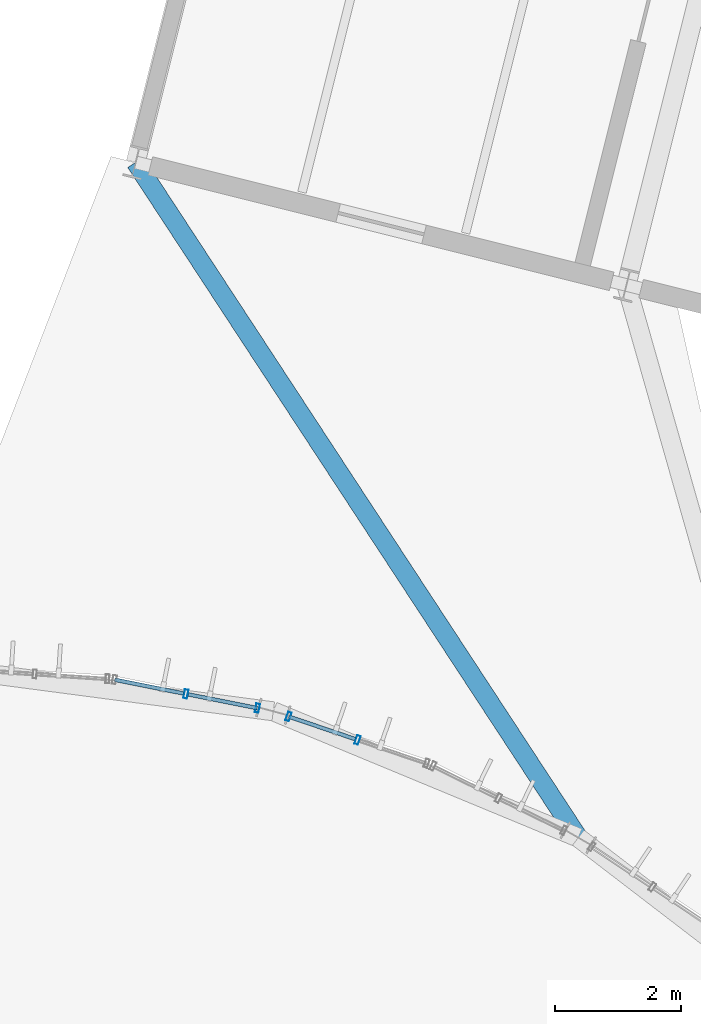
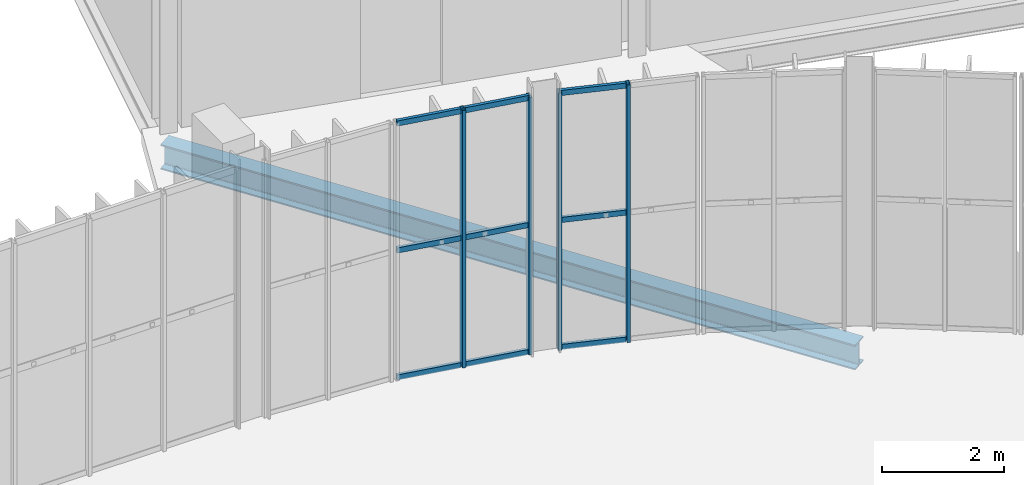
# One storey, part 75 of 158: 13 members, 1 beam, 2 elements without a shape of their own.
"""IFC4 building model written with IfcOpenShell, lengths in metres."""

from ifc_helpers import new_model, si_unit, derived_unit, direction, frame, origin, origin_2d, place, context, subcontext, project, spatial, hollow_rectangle, i_section, extrude, material, material_profile, profile_set, type_object, element, aggregate, save


model = new_model("IFC4")

# Units and contexts
model_context = context("Model", 3, precision=1e-05, world=origin(), true_north=direction((0.0, 1.0)))
body_context = subcontext(model_context, "Body", "Model", "MODEL_VIEW")
ifc_project = project(units=[si_unit("LENGTHUNIT", "METRE"), si_unit("AREAUNIT", "SQUARE_METRE"), si_unit("VOLUMEUNIT", "CUBIC_METRE"), si_unit("PLANEANGLEUNIT", "RADIAN"), si_unit("MASSUNIT", "GRAM", prefix="KILO"), si_unit("THERMODYNAMICTEMPERATUREUNIT", "KELVIN"), si_unit("TIMEUNIT", "SECOND"), derived_unit("THERMALTRANSMITTANCEUNIT", [(si_unit("MASSUNIT", "GRAM", prefix="KILO"), 1), (si_unit("THERMODYNAMICTEMPERATUREUNIT", "KELVIN"), -1), (si_unit("TIMEUNIT", "SECOND"), -3)])], contexts=[model_context])

# Site, building, storey
site_placement = place(None, origin())
site = spatial("IfcSite", under=ifc_project, at=site_placement, CompositionType="ELEMENT")
building_placement = place(site_placement, origin())
building = spatial("IfcBuilding", under=site, at=building_placement, Name="Cambertide Market Hall", CompositionType="ELEMENT")
storey_placement = place(building_placement, origin())
storey = spatial("IfcBuildingStorey", under=building, at=storey_placement, Name="L01", CompositionType="ELEMENT", Elevation=0.0)

# Curtain wall, members
ifc_material_1 = material(Name="Marine Anodized Aluminium 6063-T6 AA25", Category="aluminium")
curtain_wall_type = type_object("IfcCurtainWallType", Name="Lantern Apse Chord Lower Curtain Wall", PredefinedType="USERDEFINED", material=ifc_material_1)
curtain_wall_1_placement = place(storey_placement, origin())
curtain_wall_1 = element("IfcCurtainWall", 1, at=curtain_wall_1_placement, inside=storey, type_object=curtain_wall_type, Name="Level 1 Curtain Wall CW-V1AE-L01-22", ObjectType="UNITIZED CURTAIN WALL", PredefinedType="USERDEFINED")
ifc_material_2 = material(Name="Champagne Marine Anodized Aluminium 6063-T6 AA25", Category="aluminium")
ifc_material_profile_1 = material_profile(ifc_material_2, hollow_rectangle(XDim=0.06005859375, YDim=0.139892578125, WallThickness=0.00341796875, at=origin_2d()), Name="ALU MULLION 60x140")
ifc_profile_set_1 = profile_set([ifc_material_profile_1], Name="Champagne Marine Anodized Aluminium 6063-T6 AA25")
member_type_1 = type_object("IfcMemberType", Name="Curtain Wall Mullion ALU MULLION 60x140", PredefinedType="MULLION", material=ifc_profile_set_1)
member_1_placement = place(storey_placement, frame((110.41796875, 91.236572265625, 0.0), z_axis=(0.0, 0.0, 1.0), x_axis=(0.94693012508, -0.32143947831, 0.0)))
member_1 = element("IfcMember", 2, at=member_1_placement, type_object=member_type_1, Name="CW-V1AE-L01-22 Mullion 1", PredefinedType="MULLION", context=body_context, shape_type="SweptSolid", body=[
    extrude(hollow_rectangle(XDim=0.06005859375, YDim=0.139892578125, WallThickness=0.00341796875, at=origin_2d()), origin(), (0.0, 0.0, 1.0), 5.159912109375),
])
member_2_placement = place(storey_placement, frame((111.509765625, 90.865966796875, 0.0), z_axis=(0.0, 0.0, 1.0), x_axis=(0.94693012508, -0.32143947831, 0.0)))
member_2 = element("IfcMember", 3, at=member_2_placement, type_object=member_type_1, Name="CW-V1AE-L01-22 Mullion 2", PredefinedType="MULLION", context=body_context, shape_type="SweptSolid", body=[
    extrude(hollow_rectangle(XDim=0.06005859375, YDim=0.139892578125, WallThickness=0.00341796875, at=origin_2d()), origin(), (0.0, 0.0, 1.0), 5.159912109375),
])

curtain_wall_2_placement = place(storey_placement, origin())
curtain_wall_2 = element("IfcCurtainWall", 4, at=curtain_wall_2_placement, inside=storey, type_object=curtain_wall_type, Name="Level 1 Curtain Wall CW-V1AE-L01-23", ObjectType="UNITIZED CURTAIN WALL", PredefinedType="USERDEFINED")
member_3_placement = place(storey_placement, frame((108.79541015625, 91.59326171875, 0.0), z_axis=(0.0, 0.0, 1.0), x_axis=(0.980785330885, -0.195090068226, 0.0)))
member_3 = element("IfcMember", 5, at=member_3_placement, type_object=member_type_1, Name="CW-V1AE-L01-23 Mullion 2", PredefinedType="MULLION", context=body_context, shape_type="SweptSolid", body=[
    extrude(hollow_rectangle(XDim=0.06005859375, YDim=0.139892578125, WallThickness=0.00341796875, at=origin_2d()), origin(), (0.0, 0.0, 1.0), 5.159912109375),
])
member_4_placement = place(storey_placement, frame((109.92626953125, 91.3681640625, 0.0), z_axis=(0.0, 0.0, 1.0), x_axis=(0.980785330885, -0.195090068226, 0.0)))
member_4 = element("IfcMember", 6, at=member_4_placement, type_object=member_type_1, Name="CW-V1AE-L01-23 Mullion 3", PredefinedType="MULLION", context=body_context, shape_type="SweptSolid", body=[
    extrude(hollow_rectangle(XDim=0.06005859375, YDim=0.139892578125, WallThickness=0.00341796875, at=origin_2d()), origin(), (0.0, 0.0, 1.0), 5.159912109375),
])

# Member
ifc_material_3 = material(Name="Champagne Marine Anodized Aluminium 6063-T6 AA25", Category="aluminium")
ifc_material_profile_2 = material_profile(ifc_material_3, hollow_rectangle(XDim=0.06005859375, YDim=0.10498046875, WallThickness=0.0029296875, at=origin_2d()), Name="ALU TRANSOM 60x105")
ifc_profile_set_2 = profile_set([ifc_material_profile_2], Name="Champagne Marine Anodized Aluminium 6063-T6 AA25")
member_type_2 = type_object("IfcMemberType", Name="Curtain Wall Transom ALU TRANSOM 60x105", PredefinedType="USERDEFINED", material=ifc_profile_set_2)
member_5_placement = place(storey_placement, frame((110.422607421875, 91.23486328125, 0.034912109375), z_axis=(0.946928413037, -0.321444521782, 0.0), x_axis=(0.321444521782, 0.946928413037, 0.0)))
member_5 = element("IfcMember", 7, at=member_5_placement, type_object=member_type_2, Name="CW-V1AE-L01-22 Transom 1-1", ObjectType="TRANSOM", PredefinedType="USERDEFINED", context=body_context, shape_type="SweptSolid", body=[
    extrude(hollow_rectangle(XDim=0.06005859375, YDim=0.10498046875, WallThickness=0.0029296875, at=origin_2d()), origin(), (0.0, 0.0, 1.0), 1.108154296875),
])

member_6_placement = place(storey_placement, frame((110.422607421875, 91.23486328125, 2.580078125), z_axis=(0.946928413037, -0.321444521782, 0.0), x_axis=(0.321444521782, 0.946928413037, 0.0)))
member_6 = element("IfcMember", 8, at=member_6_placement, type_object=member_type_2, Name="CW-V1AE-L01-22 Transom 2-1", ObjectType="TRANSOM", PredefinedType="USERDEFINED", context=body_context, shape_type="SweptSolid", body=[
    extrude(hollow_rectangle(XDim=0.06005859375, YDim=0.10498046875, WallThickness=0.0029296875, at=origin_2d()), origin(), (0.0, 0.0, 1.0), 1.108154296875),
])

member_7_placement = place(storey_placement, frame((110.422607421875, 91.23486328125, 5.125), z_axis=(0.946928413037, -0.321444521782, 0.0), x_axis=(0.321444521782, 0.946928413037, 0.0)))
member_7 = element("IfcMember", 9, at=member_7_placement, type_object=member_type_2, Name="CW-V1AE-L01-22 Transom 3-1", ObjectType="TRANSOM", PredefinedType="USERDEFINED", context=body_context, shape_type="SweptSolid", body=[
    extrude(hollow_rectangle(XDim=0.06005859375, YDim=0.10498046875, WallThickness=0.0029296875, at=origin_2d()), origin(), (0.0, 0.0, 1.0), 1.108154296875),
])

aggregate(curtain_wall_1, [member_1, member_2, member_5, member_6, member_7])

member_8_placement = place(storey_placement, frame((107.66943359375, 91.817138671875, 0.034912109375), z_axis=(0.980800411785, -0.195014235999, 0.0), x_axis=(0.195014235999, 0.980800411785, 0.0)))
member_8 = element("IfcMember", 10, at=member_8_placement, type_object=member_type_2, Name="CW-V1AE-L01-23 Transom 1-1", ObjectType="TRANSOM", PredefinedType="USERDEFINED", context=body_context, shape_type="SweptSolid", body=[
    extrude(hollow_rectangle(XDim=0.06005859375, YDim=0.10498046875, WallThickness=0.0029296875, at=origin_2d()), origin(), (0.0, 0.0, 1.0), 1.10791015625),
])

member_9_placement = place(storey_placement, frame((108.834716796875, 91.58544921875, 0.034912109375), z_axis=(0.980758243369, -0.195226197175, 0.0), x_axis=(0.195226197175, 0.980758243369, 0.0)))
member_9 = element("IfcMember", 11, at=member_9_placement, type_object=member_type_2, Name="CW-V1AE-L01-23 Transom 1-2", ObjectType="TRANSOM", PredefinedType="USERDEFINED", context=body_context, shape_type="SweptSolid", body=[
    extrude(hollow_rectangle(XDim=0.06005859375, YDim=0.10498046875, WallThickness=0.0029296875, at=origin_2d()), origin(), (0.0, 0.0, 1.0), 1.10791015625),
])

member_10_placement = place(storey_placement, frame((107.66943359375, 91.817138671875, 2.580078125), z_axis=(0.980800411785, -0.195014235999, 0.0), x_axis=(0.195014235999, 0.980800411785, 0.0)))
member_10 = element("IfcMember", 12, at=member_10_placement, type_object=member_type_2, Name="CW-V1AE-L01-23 Transom 2-1", ObjectType="TRANSOM", PredefinedType="USERDEFINED", context=body_context, shape_type="SweptSolid", body=[
    extrude(hollow_rectangle(XDim=0.06005859375, YDim=0.10498046875, WallThickness=0.0029296875, at=origin_2d()), origin(), (0.0, 0.0, 1.0), 1.10791015625),
])

member_11_placement = place(storey_placement, frame((108.834716796875, 91.58544921875, 2.580078125), z_axis=(0.980758243369, -0.195226197175, 0.0), x_axis=(0.195226197175, 0.980758243369, 0.0)))
member_11 = element("IfcMember", 13, at=member_11_placement, type_object=member_type_2, Name="CW-V1AE-L01-23 Transom 2-2", ObjectType="TRANSOM", PredefinedType="USERDEFINED", context=body_context, shape_type="SweptSolid", body=[
    extrude(hollow_rectangle(XDim=0.06005859375, YDim=0.10498046875, WallThickness=0.0029296875, at=origin_2d()), origin(), (0.0, 0.0, 1.0), 1.10791015625),
])

member_12_placement = place(storey_placement, frame((107.66943359375, 91.817138671875, 5.125), z_axis=(0.980800411785, -0.195014235999, 0.0), x_axis=(0.195014235999, 0.980800411785, 0.0)))
member_12 = element("IfcMember", 14, at=member_12_placement, type_object=member_type_2, Name="CW-V1AE-L01-23 Transom 3-1", ObjectType="TRANSOM", PredefinedType="USERDEFINED", context=body_context, shape_type="SweptSolid", body=[
    extrude(hollow_rectangle(XDim=0.06005859375, YDim=0.10498046875, WallThickness=0.0029296875, at=origin_2d()), origin(), (0.0, 0.0, 1.0), 1.10791015625),
])

member_13_placement = place(storey_placement, frame((108.834716796875, 91.58544921875, 5.125), z_axis=(0.980758243369, -0.195226197175, 0.0), x_axis=(0.195226197175, 0.980758243369, 0.0)))
member_13 = element("IfcMember", 15, at=member_13_placement, type_object=member_type_2, Name="CW-V1AE-L01-23 Transom 3-2", ObjectType="TRANSOM", PredefinedType="USERDEFINED", context=body_context, shape_type="SweptSolid", body=[
    extrude(hollow_rectangle(XDim=0.06005859375, YDim=0.10498046875, WallThickness=0.0029296875, at=origin_2d()), origin(), (0.0, 0.0, 1.0), 1.10791015625),
])

aggregate(curtain_wall_2, [member_3, member_4, member_8, member_9, member_10, member_11, member_12, member_13])

# Beam
ifc_material_4 = material(Name="Steel S355", Category="steel")
ifc_material_profile_3 = material_profile(ifc_material_4, i_section(OverallWidth=0.300048828125, OverallDepth=0.5, WebThickness=0.014404296875, FlangeThickness=0.028076171875, FilletRadius=0.027099609375, at=origin_2d()), Name="HEB 500")
ifc_profile_set_3 = profile_set([ifc_material_profile_3], Name="Steel S355")
beam_type = type_object("IfcBeamType", Name="Exterior Steel Girder HEB 500", PredefinedType="BEAM", material=ifc_profile_set_3)
beam_placement = place(storey_placement, frame((115.0, 89.320556640625, -0.544921875), z_axis=(-0.548197383824, 0.836348987187, 0.0), x_axis=(-0.836348987187, -0.548197383824, 0.0)))
element("IfcBeam", 16, at=beam_placement, inside=storey, type_object=beam_type, Name="Level 1 Beam TIE-V1V4-1", PredefinedType="BEAM", context=body_context, shape_type="SweptSolid", body=[
    extrude(i_section(OverallWidth=0.300048828125, OverallDepth=0.5, WebThickness=0.014404296875, FlangeThickness=0.028076171875, FilletRadius=0.027099609375, at=origin_2d()), origin(), (0.0, 0.0, 1.0), 12.76904296875),
])

save(model, "model.ifc")
